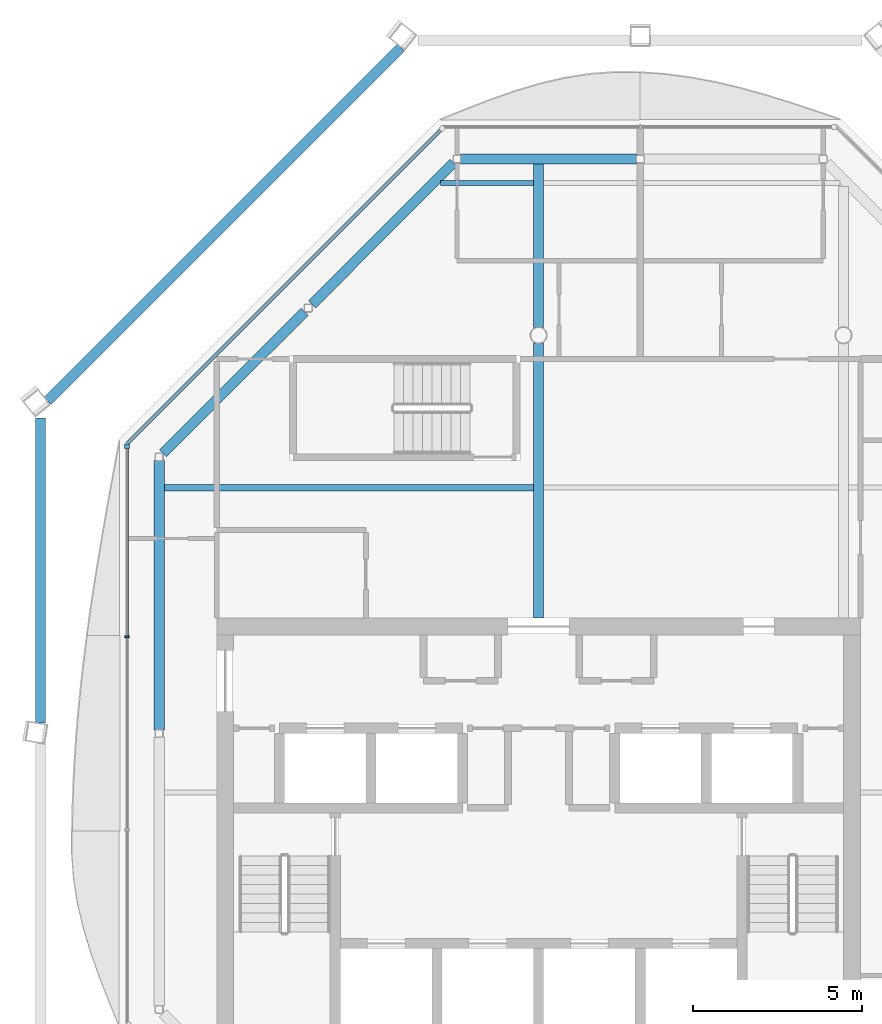
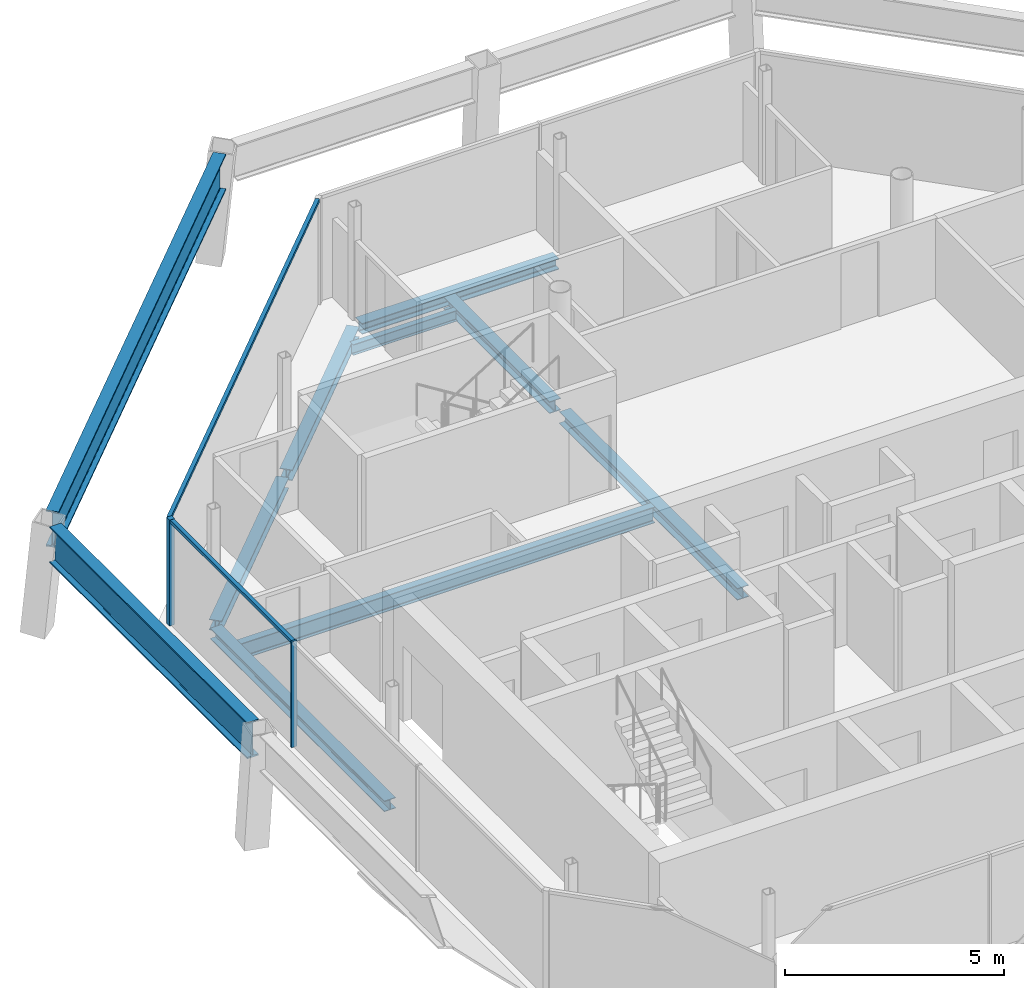
# One storey, part 5 of 14: 10 beams, 4 members, 2 elements without a shape of their own.
"""IFC4 building model written with IfcOpenShell, lengths in metres."""

from ifc_helpers import new_model, si_unit, direction, frame, origin, origin_2d, place, context, subcontext, project, spatial, rectangle, i_section, extrude, material, material_profile, profile_set, type_object, element, aggregate, save


model = new_model("IFC4")

# Units and contexts
model_context = context("Model", 3, precision=1e-05, world=origin(), true_north=direction((0.0, 1.0)))
body_context = subcontext(model_context, "Body", "Model", "MODEL_VIEW")
ifc_project = project(units=[si_unit("LENGTHUNIT", "METRE"), si_unit("AREAUNIT", "SQUARE_METRE"), si_unit("VOLUMEUNIT", "CUBIC_METRE"), si_unit("PLANEANGLEUNIT", "RADIAN"), si_unit("MASSUNIT", "GRAM", prefix="KILO")], contexts=[model_context])

# Site, building, storey
site_placement = place(None, origin())
site = spatial("IfcSite", under=ifc_project, at=site_placement, CompositionType="ELEMENT")
building_placement = place(site_placement, origin())
building = spatial("IfcBuilding", under=site, at=building_placement, Name="Tskaro Facet Tower", CompositionType="ELEMENT")
storey_placement = place(building_placement, frame((0.0, 0.0, 294.14990234375)))
storey = spatial("IfcBuildingStorey", under=building, at=storey_placement, Name="L79", CompositionType="ELEMENT", Elevation=294.14990234375)

# Curtain wall, members
ifc_material_1 = material(Name="Bronze anodised aluminium 6063-T6", Category="aluminium")
curtain_wall_type = type_object("IfcCurtainWallType", Name="Bronze residence curtain wall (FW3)", PredefinedType="NOTDEFINED", material=ifc_material_1)
curtain_wall_1_placement = place(storey_placement, origin())
curtain_wall_1 = element("IfcCurtainWall", 1, at=curtain_wall_1_placement, inside=storey, type_object=curtain_wall_type, Name="FW3 west facet L79", PredefinedType="NOTDEFINED")
ifc_material_profile_1 = material_profile(ifc_material_1, rectangle(XDim=0.139892578125, YDim=0.139892578125, at=origin_2d()), Name="Corner post 140x140")
ifc_profile_set_1 = profile_set([ifc_material_profile_1], Name="Bronze anodised aluminium 6063-T6")
member_type_1 = type_object("IfcMemberType", Name="FW3 bronze corner post 140x140", PredefinedType="MULLION", material=ifc_profile_set_1)
member_1_placement = place(storey_placement, frame((-12.14990234375, 5.72607421875, 0.0), z_axis=(0.0, 0.0, 1.0), x_axis=(0.0, -1.0, 0.0)))
member_1 = element("IfcMember", 2, at=member_1_placement, type_object=member_type_1, Name="FW3 west corner post", PredefinedType="MULLION", context=body_context, shape_type="SweptSolid", body=[
    extrude(rectangle(XDim=0.139892578125, YDim=0.139892578125, at=origin_2d()), origin(), (0.0, 0.0, 1.0), 2.9501953125),
])
ifc_material_profile_2 = material_profile(ifc_material_1, rectangle(XDim=0.050048828125, YDim=0.139892578125, at=origin_2d()), Name="Mullion 50x140")
ifc_profile_set_2 = profile_set([ifc_material_profile_2], Name="Bronze anodised aluminium 6063-T6")
member_type_2 = type_object("IfcMemberType", Name="FW3 bronze mullion 50x140", PredefinedType="MULLION", material=ifc_profile_set_2)
member_2_placement = place(storey_placement, frame((-12.14990234375, 0.0986328125, 0.0), z_axis=(0.0, 0.0, 1.0), x_axis=(0.0, -1.0, 0.0)))
member_2 = element("IfcMember", 3, at=member_2_placement, type_object=member_type_2, Name="FW3 west mullion 1", PredefinedType="MULLION", context=body_context, shape_type="SweptSolid", body=[
    extrude(rectangle(XDim=0.050048828125, YDim=0.139892578125, at=origin_2d()), origin(), (0.0, 0.0, 1.0), 2.9501953125),
])

# Curtain wall, member
curtain_wall_2_placement = place(storey_placement, origin())
curtain_wall_2 = element("IfcCurtainWall", 4, at=curtain_wall_2_placement, inside=storey, type_object=curtain_wall_type, Name="FW3 north-west facet L79", PredefinedType="NOTDEFINED")
ifc_material_profile_3 = material_profile(ifc_material_1, rectangle(XDim=0.10009765625, YDim=0.090087890625, at=origin_2d()), Name="Transom 100x90")
ifc_profile_set_3 = profile_set([ifc_material_profile_3], Name="Bronze anodised aluminium 6063-T6")
member_type_3 = type_object("IfcMemberType", Name="FW3 bronze transom 100x90", PredefinedType="USERDEFINED", material=ifc_profile_set_3)
member_3_placement = place(storey_placement, frame((-2.89501953125, 15.051025390625, 2.905029296875), z_axis=(-0.707097454631, -0.707116107619, 0.0), x_axis=(0.707116107619, -0.707097454631, 0.0)))
member_3 = element("IfcMember", 5, at=member_3_placement, type_object=member_type_3, Name="FW3 north-west transom 1.1", ObjectType="TRANSOM", PredefinedType="USERDEFINED", context=body_context, shape_type="SweptSolid", body=[
    extrude(rectangle(XDim=0.10009765625, YDim=0.090087890625, at=origin_2d()), origin(), (0.0, 0.0, 1.0), 13.088623046875),
])
aggregate(curtain_wall_2, [member_3])

# Member
member_4_placement = place(storey_placement, frame((-12.14990234375, 5.656005859375, 2.905029296875), z_axis=(0.0, -1.0, 0.0), x_axis=(1.0, 0.0, 0.0)))
member_4 = element("IfcMember", 6, at=member_4_placement, type_object=member_type_3, Name="FW3 west transom 1.1", ObjectType="TRANSOM", PredefinedType="USERDEFINED", context=body_context, shape_type="SweptSolid", body=[
    extrude(rectangle(XDim=0.10009765625, YDim=0.090087890625, at=origin_2d()), origin(), (0.0, 0.0, 1.0), 5.5322265625),
])

aggregate(curtain_wall_1, [member_1, member_2, member_4])

# Beams
ifc_material_2 = material(Name="Steel S355J2", Category="steel")
ifc_material_profile_4 = material_profile(ifc_material_2, i_section(OverallWidth=0.302001953125, OverallDepth=1.008056640625, WebThickness=0.02099609375, FlangeThickness=0.0400390625, FilletRadius=0.030029296875, at=origin_2d()), Name="HE 1000 M")
ifc_profile_set_4 = profile_set([ifc_material_profile_4], Name="Steel S355J2")
beam_type_1 = type_object("IfcBeamType", Name="HE 1000 M crown ring beam", PredefinedType="BEAM", material=ifc_profile_set_4)
beam_1_placement = place(storey_placement, frame((-4.066162109375, 17.48974609375, 2.64599609375), z_axis=(-0.707106781187, -0.707106781187, 0.0), x_axis=(0.707106781187, -0.707106781187, 0.0)))
element("IfcBeam", 7, at=beam_1_placement, inside=storey, type_object=beam_type_1, Name="HE 1000 M CR09-6", PredefinedType="BEAM", context=body_context, shape_type="SweptSolid", body=[
    extrude(i_section(OverallWidth=0.302001953125, OverallDepth=1.008056640625, WebThickness=0.02099609375, FlangeThickness=0.0400390625, FilletRadius=0.030029296875, at=origin_2d()), origin(), (0.0, 0.0, 1.0), 14.7412109375),
])
beam_2_placement = place(storey_placement, frame((-14.701904296875, 6.553955078125, 2.64599609375), z_axis=(0.0, -1.0, 0.0), x_axis=(1.0, 0.0, 0.0)))
element("IfcBeam", 8, at=beam_2_placement, inside=storey, type_object=beam_type_1, Name="HE 1000 M CR10-6", PredefinedType="BEAM", context=body_context, shape_type="SweptSolid", body=[
    extrude(i_section(OverallWidth=0.302001953125, OverallDepth=1.008056640625, WebThickness=0.02099609375, FlangeThickness=0.0400390625, FilletRadius=0.030029296875, at=origin_2d()), origin(), (0.0, 0.0, 1.0), 9.00390625),
])
ifc_material_profile_5 = material_profile(ifc_material_2, i_section(OverallWidth=0.300048828125, OverallDepth=0.300048828125, WebThickness=0.010986328125, FlangeThickness=0.01904296875, FilletRadius=0.027099609375, at=origin_2d()), Name="HE 300 B")
ifc_profile_set_5 = profile_set([ifc_material_profile_5], Name="Steel S355J2")
beam_type_2 = type_object("IfcBeamType", Name="HE 300 B ring beam", PredefinedType="BEAM", material=ifc_profile_set_5)
beam_3_placement = place(storey_placement, frame((2.89501953125, 14.199951171875, -0.289794921875), z_axis=(-1.0, 0.0, 0.0), x_axis=(0.0, -1.0, 0.0)))
element("IfcBeam", 9, at=beam_3_placement, inside=storey, type_object=beam_type_2, Name="HE 300 B EB10-6", PredefinedType="BEAM", context=body_context, shape_type="SweptSolid", body=[
    extrude(i_section(OverallWidth=0.300048828125, OverallDepth=0.300048828125, WebThickness=0.010986328125, FlangeThickness=0.01904296875, FilletRadius=0.027099609375, at=origin_2d()), origin(), (0.0, 0.0, 1.0), 5.193115234375),
])
for number, where, z_axis, x_axis, name in (
    (10, (-2.513916015625, 14.089111328125, -0.289794921875), (-0.707024112481, -0.707189440228, 0.0), (0.707189440228, -0.707024112481, 0.0), "HE 300 B EB11-6"),
    (11, (-6.911865234375, 9.690185546875, -0.289794921875), (-0.707189440228, -0.707024112481, 0.0), (0.707024112481, -0.707189440228, 0.0), "HE 300 B EB12-6"),
):
    element("IfcBeam", number, at=place(storey_placement, frame(where, z_axis=z_axis, x_axis=x_axis)), inside=storey, type_object=beam_type_2, Name=name, PredefinedType="BEAM", context=body_context, shape_type="SweptSolid", body=[
        extrude(i_section(OverallWidth=0.300048828125, OverallDepth=0.300048828125, WebThickness=0.010986328125, FlangeThickness=0.01904296875, FilletRadius=0.027099609375, at=origin_2d()), origin(), (0.0, 0.0, 1.0), 5.90673828125),
    ])
beam_4_placement = place(storey_placement, frame((-11.199951171875, 5.298095703125, -0.289794921875), z_axis=(0.0, -1.0, 0.0), x_axis=(1.0, 0.0, 0.0)))
element("IfcBeam", 12, at=beam_4_placement, inside=storey, type_object=beam_type_2, Name="HE 300 B EB13-6", PredefinedType="BEAM", context=body_context, shape_type="SweptSolid", body=[
    extrude(i_section(OverallWidth=0.300048828125, OverallDepth=0.300048828125, WebThickness=0.010986328125, FlangeThickness=0.01904296875, FilletRadius=0.027099609375, at=origin_2d()), origin(), (0.0, 0.0, 1.0), 7.943115234375),
])
ifc_material_profile_6 = material_profile(ifc_material_2, i_section(OverallWidth=0.300048828125, OverallDepth=0.330078125, WebThickness=0.009521484375, FlangeThickness=0.0166015625, FilletRadius=0.027099609375, at=origin_2d()), Name="HE 340 A")
ifc_profile_set_6 = profile_set([ifc_material_profile_6], Name="Steel S355J2")
beam_type_3 = type_object("IfcBeamType", Name="HE 340 A girder", PredefinedType="BEAM", material=ifc_profile_set_6)
beam_5_placement = place(storey_placement, frame((0.0, 0.64990234375, -0.304931640625), z_axis=(0.0, 1.0, 0.0), x_axis=(-1.0, 0.0, 0.0)))
element("IfcBeam", 13, at=beam_5_placement, inside=storey, type_object=beam_type_3, Name="HE 340 A GB4-2-6", PredefinedType="BEAM", context=body_context, shape_type="SweptSolid", body=[
    extrude(i_section(OverallWidth=0.300048828125, OverallDepth=0.330078125, WebThickness=0.009521484375, FlangeThickness=0.0166015625, FilletRadius=0.027099609375, at=origin_2d()), origin(), (0.0, 0.0, 1.0), 8.1259765625),
])
beam_6_placement = place(storey_placement, frame((0.0, 9.22412109375, -0.304931640625), z_axis=(0.0, 1.0, 0.0), x_axis=(-1.0, 0.0, 0.0)))
element("IfcBeam", 14, at=beam_6_placement, inside=storey, type_object=beam_type_3, Name="HE 340 A GB4-3-6", PredefinedType="BEAM", context=body_context, shape_type="SweptSolid", body=[
    extrude(i_section(OverallWidth=0.300048828125, OverallDepth=0.330078125, WebThickness=0.009521484375, FlangeThickness=0.0166015625, FilletRadius=0.027099609375, at=origin_2d()), origin(), (0.0, 0.0, 1.0), 4.825927734375),
])
ifc_material_profile_7 = material_profile(ifc_material_2, i_section(OverallWidth=0.14990234375, OverallDepth=0.300048828125, WebThickness=0.007080078125, FlangeThickness=0.0107421875, FilletRadius=0.014892578125, at=origin_2d()), Name="IPE 300")
ifc_profile_set_7 = profile_set([ifc_material_profile_7], Name="Steel S355J2")
beam_type_4 = type_object("IfcBeamType", Name="IPE 300 secondary beam", PredefinedType="BEAM", material=ifc_profile_set_7)
beam_7_placement = place(storey_placement, frame((-2.89111328125, 13.5, -0.289794921875), z_axis=(1.0, 0.0, 0.0), x_axis=(0.0, 1.0, 0.0)))
element("IfcBeam", 15, at=beam_7_placement, inside=storey, type_object=beam_type_4, Name="IPE 300 SB5a-1-6", PredefinedType="BEAM", context=body_context, shape_type="SweptSolid", body=[
    extrude(i_section(OverallWidth=0.14990234375, OverallDepth=0.300048828125, WebThickness=0.007080078125, FlangeThickness=0.0107421875, FilletRadius=0.014892578125, at=origin_2d()), origin(), (0.0, 0.0, 1.0), 2.7412109375),
])
ifc_material_profile_8 = material_profile(ifc_material_2, i_section(OverallWidth=0.18994140625, OverallDepth=0.449951171875, WebThickness=0.009521484375, FlangeThickness=0.0146484375, FilletRadius=0.02099609375, at=origin_2d()), Name="IPE 450")
ifc_profile_set_8 = profile_set([ifc_material_profile_8], Name="Steel S355J2")
beam_type_5 = type_object("IfcBeamType", Name="IPE 450 long secondary beam", PredefinedType="BEAM", material=ifc_profile_set_8)
beam_8_placement = place(storey_placement, frame((-11.050048828125, 4.5, -0.364990234375), z_axis=(1.0, 0.0, 0.0), x_axis=(0.0, 1.0, 0.0)))
element("IfcBeam", 16, at=beam_8_placement, inside=storey, type_object=beam_type_5, Name="IPE 450 LSB4a-1-6", PredefinedType="BEAM", context=body_context, shape_type="SweptSolid", body=[
    extrude(i_section(OverallWidth=0.18994140625, OverallDepth=0.449951171875, WebThickness=0.009521484375, FlangeThickness=0.0146484375, FilletRadius=0.02099609375, at=origin_2d()), origin(), (0.0, 0.0, 1.0), 10.900146484375),
])

save(model, "model.ifc")
